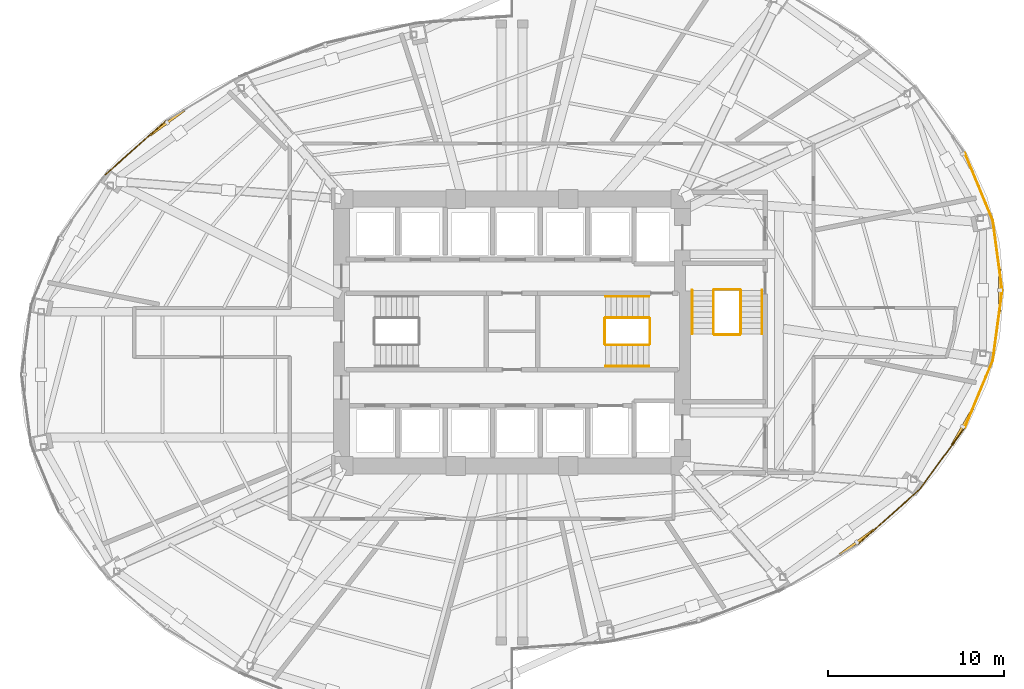
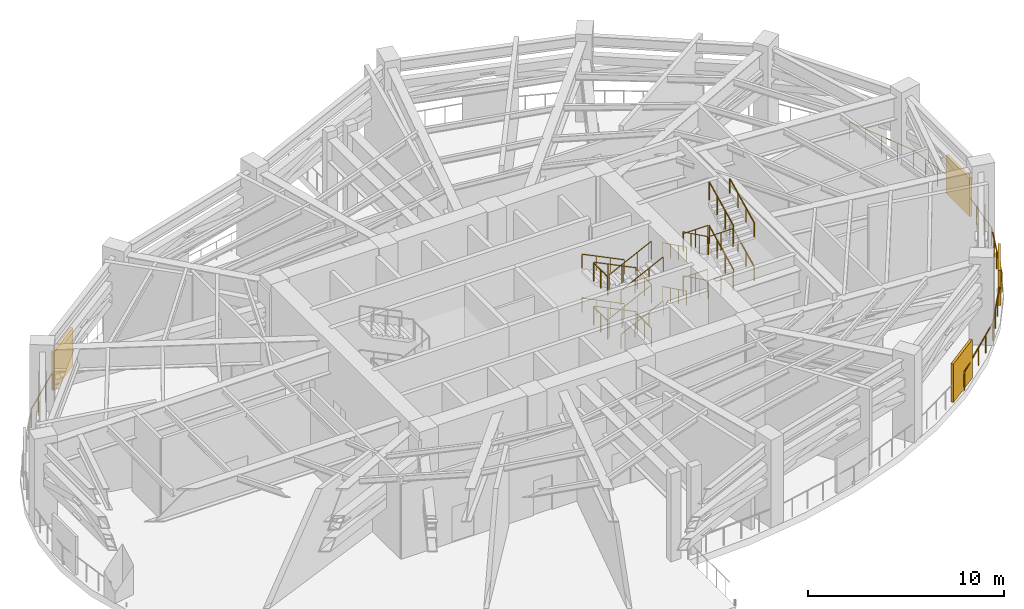
# One storey, part 13 of 14: 31 railings, 4 shading devices.
"""IFC4 building model written with IfcOpenShell, lengths in metres."""

from ifc_helpers import new_model, si_unit, direction, frame, origin, origin_2d, place, context, subcontext, project, spatial, rectangle, circle, extrude, material, type_object, element, save


model = new_model("IFC4")

# Units and contexts
model_context = context("Model", 3, precision=1e-05, world=origin(), true_north=direction((0.0, 1.0)))
body_context = subcontext(model_context, "Body", "Model", "MODEL_VIEW")
ifc_project = project(units=[si_unit("LENGTHUNIT", "METRE"), si_unit("AREAUNIT", "SQUARE_METRE"), si_unit("VOLUMEUNIT", "CUBIC_METRE"), si_unit("PLANEANGLEUNIT", "RADIAN"), si_unit("MASSUNIT", "GRAM", prefix="KILO")], contexts=[model_context])

# Site, building, storey
site_placement = place(None, origin())
site = spatial("IfcSite", under=ifc_project, at=site_placement, CompositionType="ELEMENT")
building_placement = place(site_placement, origin())
building = spatial("IfcBuilding", under=site, at=building_placement, Name="Lazwardi Medical Tower", CompositionType="ELEMENT")
storey_placement = place(building_placement, frame((0.0, 0.0, 76.27197265625)))
storey = spatial("IfcBuildingStorey", under=building, at=storey_placement, Name="L19", CompositionType="ELEMENT", Elevation=76.27197265625)

# Railings
ifc_material_1 = material(Name="Anodised bronze aluminium", Category="aluminium")
railing_type_1 = type_object("IfcRailingType", Name="RLG-BAL-1100", PredefinedType="BALUSTRADE", material=ifc_material_1)
railing_1_placement = place(storey_placement, frame((55.728271484375, 15.97509765625, 0.0)))
element("IfcRailing", 1, at=railing_1_placement, inside=storey, type_object=railing_type_1, Name="L19 Refuge Band Perimeter Balustrade 05", PredefinedType="BALUSTRADE", context=body_context, shape_type="SweptSolid", body=[
    extrude(circle(Radius=0.02392578125, at=origin_2d()), frame((0.0, 0.0, 1.1259765625), z_axis=(0.74664940554, 0.665217757736, 0.0), x_axis=(-0.665217757736, 0.74664940554, 0.0)), (0.0, 0.0, 1.0), 4.64697265625),
    extrude(circle(Radius=0.02099609375, at=origin_2d()), origin(), (0.0, 0.0, 1.0), 1.099853515625),
    extrude(circle(Radius=0.02099609375, at=origin_2d()), frame((0.867431640625, 0.77294921875, 0.0)), (0.0, 0.0, 1.0), 1.099853515625),
    extrude(circle(Radius=0.02099609375, at=origin_2d()), frame((1.73486328125, 1.545654296875, 0.0)), (0.0, 0.0, 1.0), 1.099853515625),
    extrude(circle(Radius=0.02099609375, at=origin_2d()), frame((2.602294921875, 2.318359375, 0.0)), (0.0, 0.0, 1.0), 1.099853515625),
    extrude(circle(Radius=0.02099609375, at=origin_2d()), frame((3.4697265625, 3.09130859375, 0.0)), (0.0, 0.0, 1.0), 1.099853515625),
])
railing_2_placement = place(storey_placement, frame((59.197998046875, 19.06640625, 0.0)))
element("IfcRailing", 2, at=railing_2_placement, inside=storey, type_object=railing_type_1, Name="L19 Refuge Band Perimeter Balustrade 06", PredefinedType="BALUSTRADE", context=body_context, shape_type="SweptSolid", body=[
    extrude(circle(Radius=0.02392578125, at=origin_2d()), frame((0.0, 0.0, 1.1259765625), z_axis=(0.590137081379, 0.807303056591, 0.0), x_axis=(-0.807303056591, 0.590137081379, 0.0)), (0.0, 0.0, 1.0), 4.36865234375),
    extrude(circle(Radius=0.02099609375, at=origin_2d()), origin(), (0.0, 0.0, 1.0), 1.099853515625),
    extrude(circle(Radius=0.02099609375, at=origin_2d()), frame((0.64453125, 0.8818359375, 0.0)), (0.0, 0.0, 1.0), 1.099853515625),
    extrude(circle(Radius=0.02099609375, at=origin_2d()), frame((1.2890625, 1.763427734375, 0.0)), (0.0, 0.0, 1.0), 1.099853515625),
    extrude(circle(Radius=0.02099609375, at=origin_2d()), frame((1.93359375, 2.64501953125, 0.0)), (0.0, 0.0, 1.0), 1.099853515625),
    extrude(circle(Radius=0.02099609375, at=origin_2d()), frame((2.578125, 3.52685546875, 0.0)), (0.0, 0.0, 1.0), 1.099853515625),
])
railing_3_placement = place(storey_placement, frame((61.776123046875, 22.59326171875, 0.0)))
element("IfcRailing", 3, at=railing_3_placement, inside=storey, type_object=railing_type_1, Name="L19 Refuge Band Perimeter Balustrade 07", PredefinedType="BALUSTRADE", context=body_context, shape_type="SweptSolid", body=[
    extrude(circle(Radius=0.02392578125, at=origin_2d()), frame((0.0, 0.0, 1.1259765625), z_axis=(0.383246791429, 0.923645980265, 0.0), x_axis=(-0.923645980265, 0.383246791429, 0.0)), (0.0, 0.0, 1.0), 4.143310546875),
    extrude(circle(Radius=0.02099609375, at=origin_2d()), origin(), (0.0, 0.0, 1.0), 1.099853515625),
    extrude(circle(Radius=0.02099609375, at=origin_2d()), frame((0.39697265625, 0.956787109375, 0.0)), (0.0, 0.0, 1.0), 1.099853515625),
    extrude(circle(Radius=0.02099609375, at=origin_2d()), frame((0.7939453125, 1.91357421875, 0.0)), (0.0, 0.0, 1.0), 1.099853515625),
    extrude(circle(Radius=0.02099609375, at=origin_2d()), frame((1.19091796875, 2.8701171875, 0.0)), (0.0, 0.0, 1.0), 1.099853515625),
    extrude(circle(Radius=0.02099609375, at=origin_2d()), frame((1.587890625, 3.826904296875, 0.0)), (0.0, 0.0, 1.0), 1.099853515625),
])
railing_4_placement = place(storey_placement, frame((63.364013671875, 26.420166015625, 0.0)))
element("IfcRailing", 4, at=railing_4_placement, inside=storey, type_object=railing_type_1, Name="L19 Refuge Band Perimeter Balustrade 08", PredefinedType="BALUSTRADE", context=body_context, shape_type="SweptSolid", body=[
    extrude(circle(Radius=0.02392578125, at=origin_2d()), frame((0.0, 0.0, 1.1259765625), z_axis=(0.133449908171, 0.991055559497, 0.0), x_axis=(-0.991055559497, 0.133449908171, 0.0)), (0.0, 0.0, 1.0), 4.015625),
    extrude(circle(Radius=0.02099609375, at=origin_2d()), origin(), (0.0, 0.0, 1.0), 1.099853515625),
    extrude(circle(Radius=0.02099609375, at=origin_2d()), frame((0.134033203125, 0.994873046875, 0.0)), (0.0, 0.0, 1.0), 1.099853515625),
    extrude(circle(Radius=0.02099609375, at=origin_2d()), frame((0.26806640625, 1.98974609375, 0.0)), (0.0, 0.0, 1.0), 1.099853515625),
    extrude(circle(Radius=0.02099609375, at=origin_2d()), frame((0.40185546875, 2.98486328125, 0.0)), (0.0, 0.0, 1.0), 1.099853515625),
    extrude(circle(Radius=0.02099609375, at=origin_2d()), frame((0.535888671875, 3.979736328125, 0.0)), (0.0, 0.0, 1.0), 1.099853515625),
])
railing_5_placement = place(storey_placement, frame((63.89990234375, 30.39990234375, 0.0)))
element("IfcRailing", 5, at=railing_5_placement, inside=storey, type_object=railing_type_1, Name="L19 Refuge Band Perimeter Balustrade 09", PredefinedType="BALUSTRADE", context=body_context, shape_type="SweptSolid", body=[
    extrude(circle(Radius=0.02392578125, at=origin_2d()), frame((0.0, 0.0, 1.1259765625), z_axis=(-0.133441867837, 0.991056642129, 0.0), x_axis=(-0.991056642129, -0.133441867837, 0.0)), (0.0, 0.0, 1.0), 4.015869140625),
    extrude(circle(Radius=0.02099609375, at=origin_2d()), origin(), (0.0, 0.0, 1.0), 1.099853515625),
    extrude(circle(Radius=0.02099609375, at=origin_2d()), frame((-0.134033203125, 0.9951171875, 0.0)), (0.0, 0.0, 1.0), 1.099853515625),
    extrude(circle(Radius=0.02099609375, at=origin_2d()), frame((-0.26806640625, 1.989990234375, 0.0)), (0.0, 0.0, 1.0), 1.099853515625),
    extrude(circle(Radius=0.02099609375, at=origin_2d()), frame((-0.40185546875, 2.98486328125, 0.0)), (0.0, 0.0, 1.0), 1.099853515625),
    extrude(circle(Radius=0.02099609375, at=origin_2d()), frame((-0.535888671875, 3.97998046875, 0.0)), (0.0, 0.0, 1.0), 1.099853515625),
])
railing_6_placement = place(storey_placement, frame((63.364013671875, 34.3798828125, 0.0)))
element("IfcRailing", 6, at=railing_6_placement, inside=storey, type_object=railing_type_1, Name="L19 Refuge Band Perimeter Balustrade 10", PredefinedType="BALUSTRADE", context=body_context, shape_type="SweptSolid", body=[
    extrude(circle(Radius=0.02392578125, at=origin_2d()), frame((0.0, 0.0, 1.1259765625), z_axis=(-0.383246791429, 0.923645980265, 0.0), x_axis=(-0.923645980265, -0.383246791429, 0.0)), (0.0, 0.0, 1.0), 4.143310546875),
    extrude(circle(Radius=0.02099609375, at=origin_2d()), origin(), (0.0, 0.0, 1.0), 1.099853515625),
    extrude(circle(Radius=0.02099609375, at=origin_2d()), frame((-0.39697265625, 0.956787109375, 0.0)), (0.0, 0.0, 1.0), 1.099853515625),
    extrude(circle(Radius=0.02099609375, at=origin_2d()), frame((-0.7939453125, 1.91357421875, 0.0)), (0.0, 0.0, 1.0), 1.099853515625),
    extrude(circle(Radius=0.02099609375, at=origin_2d()), frame((-1.19091796875, 2.8701171875, 0.0)), (0.0, 0.0, 1.0), 1.099853515625),
    extrude(circle(Radius=0.02099609375, at=origin_2d()), frame((-1.587890625, 3.826904296875, 0.0)), (0.0, 0.0, 1.0), 1.099853515625),
])
railing_7_placement = place(storey_placement, frame((16.271728515625, 40.02490234375, 0.0)))
element("IfcRailing", 7, at=railing_7_placement, inside=storey, type_object=railing_type_1, Name="L19 Refuge Band Perimeter Balustrade 22", PredefinedType="BALUSTRADE", context=body_context, shape_type="SweptSolid", body=[
    extrude(circle(Radius=0.02392578125, at=origin_2d()), frame((0.0, 0.0, 1.1259765625), z_axis=(-0.74664940554, -0.665217757736, 0.0), x_axis=(0.665217757736, -0.74664940554, 0.0)), (0.0, 0.0, 1.0), 4.64697265625),
    extrude(circle(Radius=0.02099609375, at=origin_2d()), origin(), (0.0, 0.0, 1.0), 1.099853515625),
    extrude(circle(Radius=0.02099609375, at=origin_2d()), frame((-0.867431640625, -0.77294921875, 0.0)), (0.0, 0.0, 1.0), 1.099853515625),
    extrude(circle(Radius=0.02099609375, at=origin_2d()), frame((-1.73486328125, -1.545654296875, 0.0)), (0.0, 0.0, 1.0), 1.099853515625),
    extrude(circle(Radius=0.02099609375, at=origin_2d()), frame((-2.602294921875, -2.318359375, 0.0)), (0.0, 0.0, 1.0), 1.099853515625),
    extrude(circle(Radius=0.02099609375, at=origin_2d()), frame((-3.4697265625, -3.09130859375, 0.0)), (0.0, 0.0, 1.0), 1.099853515625),
])
ifc_material_2 = material(Name="Stainless steel Grade 316", Category="steel")
railing_type_2 = type_object("IfcRailingType", Name="RLG-GRD-1150", PredefinedType="GUARDRAIL", material=ifc_material_2)
railing_8_placement = place(storey_placement, frame((43.800048828125, 28.830078125, 0.152099609375)))
element("IfcRailing", 8, at=railing_8_placement, inside=storey, type_object=railing_type_2, Name="L19 ST2 stair guard 1", PredefinedType="GUARDRAIL", context=body_context, shape_type="SweptSolid", body=[
    extrude(circle(Radius=0.02392578125, at=origin_2d()), frame((0.0, 0.0, 1.1259765625), z_axis=(-0.897900171516, 0.0, 0.440199139018), x_axis=(0.0, -1.0, 0.0)), (0.0, 0.0, 1.0), 2.761962890625),
    extrude(circle(Radius=0.02099609375, at=origin_2d()), origin(), (0.0, 0.0, 1.0), 1.099853515625),
    extrude(circle(Radius=0.02099609375, at=origin_2d()), frame((-0.82666015625, 0.0, 0.4052734375)), (0.0, 0.0, 1.0), 1.099853515625),
    extrude(circle(Radius=0.02099609375, at=origin_2d()), frame((-1.6533203125, 0.0, 0.810546875)), (0.0, 0.0, 1.0), 1.099853515625),
    extrude(circle(Radius=0.02099609375, at=origin_2d()), frame((-2.47998046875, 0.0, 1.2158203125)), (0.0, 0.0, 1.0), 1.099853515625),
])
railing_9_placement = place(storey_placement, frame((41.27001953125, 28.780029296875, 1.367919921875)))
element("IfcRailing", 9, at=railing_9_placement, inside=storey, type_object=railing_type_2, Name="L19 ST2 stair guard 2", PredefinedType="GUARDRAIL", context=body_context, shape_type="SweptSolid", body=[
    extrude(circle(Radius=0.02392578125, at=origin_2d()), frame((0.0, 0.0, 1.1259765625), z_axis=(0.0, -1.0, 0.0), x_axis=(1.0, 0.0, 0.0)), (0.0, 0.0, 1.0), 1.43994140625),
    extrude(circle(Radius=0.02099609375, at=origin_2d()), origin(), (0.0, 0.0, 1.0), 1.099853515625),
    extrude(circle(Radius=0.02099609375, at=origin_2d()), frame((0.0, -0.719970703125, 0.0)), (0.0, 0.0, 1.0), 1.099853515625),
    extrude(circle(Radius=0.02099609375, at=origin_2d()), frame((0.0, -1.43994140625, 0.0)), (0.0, 0.0, 1.0), 1.099853515625),
])
railing_10_placement = place(storey_placement, frame((41.320068359375, 27.2900390625, 1.52001953125)))
element("IfcRailing", 10, at=railing_10_placement, inside=storey, type_object=railing_type_2, Name="L19 ST2 stair guard 3", PredefinedType="GUARDRAIL", context=body_context, shape_type="SweptSolid", body=[
    extrude(circle(Radius=0.02392578125, at=origin_2d()), frame((0.0, 0.0, 1.1259765625), z_axis=(0.897865232124, 0.0, 0.440270399804), x_axis=(0.0, 1.0, 0.0)), (0.0, 0.0, 1.0), 2.76220703125),
    extrude(circle(Radius=0.02099609375, at=origin_2d()), origin(), (0.0, 0.0, 1.0), 1.099853515625),
    extrude(circle(Radius=0.02099609375, at=origin_2d()), frame((0.82666015625, 0.0, 0.4052734375)), (0.0, 0.0, 1.0), 1.099853515625),
    extrude(circle(Radius=0.02099609375, at=origin_2d()), frame((1.6533203125, 0.0, 0.810791015625)), (0.0, 0.0, 1.0), 1.099853515625),
    extrude(circle(Radius=0.02099609375, at=origin_2d()), frame((2.47998046875, 0.0, 1.216064453125)), (0.0, 0.0, 1.0), 1.099853515625),
])
railing_11_placement = place(storey_placement, frame((43.85009765625, 28.780029296875, 2.736083984375)))
element("IfcRailing", 11, at=railing_11_placement, inside=storey, type_object=railing_type_2, Name="L19 ST2 stair guard 4", PredefinedType="GUARDRAIL", context=body_context, shape_type="SweptSolid", body=[
    extrude(circle(Radius=0.02392578125, at=origin_2d()), frame((0.0, 0.0, 1.1259765625), z_axis=(0.0, -1.0, 0.0), x_axis=(1.0, 0.0, 0.0)), (0.0, 0.0, 1.0), 1.43994140625),
    extrude(circle(Radius=0.02099609375, at=origin_2d()), origin(), (0.0, 0.0, 1.0), 1.099853515625),
    extrude(circle(Radius=0.02099609375, at=origin_2d()), frame((0.0, -0.719970703125, 0.0)), (0.0, 0.0, 1.0), 1.099853515625),
    extrude(circle(Radius=0.02099609375, at=origin_2d()), frame((0.0, -1.43994140625, 0.0)), (0.0, 0.0, 1.0), 1.099853515625),
])
railing_12_placement = place(storey_placement, frame((43.800048828125, 28.830078125, 2.887939453125)))
element("IfcRailing", 12, at=railing_12_placement, inside=storey, type_object=railing_type_2, Name="L19 ST2 stair guard 5", PredefinedType="GUARDRAIL", context=body_context, shape_type="SweptSolid", body=[
    extrude(circle(Radius=0.02392578125, at=origin_2d()), frame((0.0, 0.0, 1.1259765625), z_axis=(-0.897865232124, 0.0, 0.440270399804), x_axis=(0.0, -1.0, 0.0)), (0.0, 0.0, 1.0), 2.76220703125),
    extrude(circle(Radius=0.02099609375, at=origin_2d()), origin(), (0.0, 0.0, 1.0), 1.099853515625),
    extrude(circle(Radius=0.02099609375, at=origin_2d()), frame((-0.82666015625, 0.0, 0.4052734375)), (0.0, 0.0, 1.0), 1.099853515625),
    extrude(circle(Radius=0.02099609375, at=origin_2d()), frame((-1.6533203125, 0.0, 0.810791015625)), (0.0, 0.0, 1.0), 1.099853515625),
    extrude(circle(Radius=0.02099609375, at=origin_2d()), frame((-2.47998046875, 0.0, 1.216064453125)), (0.0, 0.0, 1.0), 1.099853515625),
])
railing_13_placement = place(storey_placement, frame((41.27001953125, 28.780029296875, 4.10400390625)))
element("IfcRailing", 13, at=railing_13_placement, inside=storey, type_object=railing_type_2, Name="L19 ST2 stair guard 6", PredefinedType="GUARDRAIL", context=body_context, shape_type="SweptSolid", body=[
    extrude(circle(Radius=0.02392578125, at=origin_2d()), frame((0.0, 0.0, 1.1259765625), z_axis=(0.0, -1.0, 0.0), x_axis=(1.0, 0.0, 0.0)), (0.0, 0.0, 1.0), 1.43994140625),
    extrude(circle(Radius=0.02099609375, at=origin_2d()), origin(), (0.0, 0.0, 1.0), 1.099853515625),
    extrude(circle(Radius=0.02099609375, at=origin_2d()), frame((0.0, -0.719970703125, 0.0)), (0.0, 0.0, 1.0), 1.099853515625),
    extrude(circle(Radius=0.02099609375, at=origin_2d()), frame((0.0, -1.43994140625, 0.0)), (0.0, 0.0, 1.0), 1.099853515625),
])
railing_14_placement = place(storey_placement, frame((41.320068359375, 27.2900390625, 4.256103515625)))
element("IfcRailing", 14, at=railing_14_placement, inside=storey, type_object=railing_type_2, Name="L19 ST2 stair guard 7", PredefinedType="GUARDRAIL", context=body_context, shape_type="SweptSolid", body=[
    extrude(circle(Radius=0.02392578125, at=origin_2d()), frame((0.0, 0.0, 1.1259765625), z_axis=(0.897900171516, 0.0, 0.440199139018), x_axis=(0.0, 1.0, 0.0)), (0.0, 0.0, 1.0), 2.761962890625),
    extrude(circle(Radius=0.02099609375, at=origin_2d()), origin(), (0.0, 0.0, 1.0), 1.099853515625),
    extrude(circle(Radius=0.02099609375, at=origin_2d()), frame((0.82666015625, 0.0, 0.4052734375)), (0.0, 0.0, 1.0), 1.099853515625),
    extrude(circle(Radius=0.02099609375, at=origin_2d()), frame((1.6533203125, 0.0, 0.810546875)), (0.0, 0.0, 1.0), 1.099853515625),
    extrude(circle(Radius=0.02099609375, at=origin_2d()), frame((2.47998046875, 0.0, 1.2158203125)), (0.0, 0.0, 1.0), 1.099853515625),
])
railing_15_placement = place(storey_placement, frame((43.85009765625, 28.780029296875, 0.0)))
element("IfcRailing", 15, at=railing_15_placement, inside=storey, type_object=railing_type_2, Name="L19 ST2 stair guard 8", PredefinedType="GUARDRAIL", context=body_context, shape_type="SweptSolid", body=[
    extrude(circle(Radius=0.02392578125, at=origin_2d()), frame((0.0, 0.0, 1.1259765625), z_axis=(0.0, -1.0, 0.0), x_axis=(1.0, 0.0, 0.0)), (0.0, 0.0, 1.0), 1.43994140625),
    extrude(circle(Radius=0.02099609375, at=origin_2d()), origin(), (0.0, 0.0, 1.0), 1.099853515625),
    extrude(circle(Radius=0.02099609375, at=origin_2d()), frame((0.0, -0.719970703125, 0.0)), (0.0, 0.0, 1.0), 1.099853515625),
    extrude(circle(Radius=0.02099609375, at=origin_2d()), frame((0.0, -1.43994140625, 0.0)), (0.0, 0.0, 1.0), 1.099853515625),
])
railing_16_placement = place(storey_placement, frame((47.469970703125, 30.39990234375, 0.152099609375)))
element("IfcRailing", 16, at=railing_16_placement, inside=storey, type_object=railing_type_2, Name="L19 ST3 stair guard 1", PredefinedType="GUARDRAIL", context=body_context, shape_type="SweptSolid", body=[
    extrude(circle(Radius=0.02392578125, at=origin_2d()), frame((0.0, 0.0, 1.1259765625), z_axis=(0.0, -0.897900171516, 0.440199139018), x_axis=(1.0, 0.0, 0.0)), (0.0, 0.0, 1.0), 2.761962890625),
    extrude(circle(Radius=0.02099609375, at=origin_2d()), origin(), (0.0, 0.0, 1.0), 1.099853515625),
    extrude(circle(Radius=0.02099609375, at=origin_2d()), frame((0.0, -0.82666015625, 0.4052734375)), (0.0, 0.0, 1.0), 1.099853515625),
    extrude(circle(Radius=0.02099609375, at=origin_2d()), frame((0.0, -1.6533203125, 0.810546875)), (0.0, 0.0, 1.0), 1.099853515625),
    extrude(circle(Radius=0.02099609375, at=origin_2d()), frame((0.0, -2.47998046875, 1.2158203125)), (0.0, 0.0, 1.0), 1.099853515625),
])
railing_17_placement = place(storey_placement, frame((47.52001953125, 27.8701171875, 1.367919921875)))
element("IfcRailing", 17, at=railing_17_placement, inside=storey, type_object=railing_type_2, Name="L19 ST3 stair guard 2", PredefinedType="GUARDRAIL", context=body_context, shape_type="SweptSolid", body=[
    extrude(circle(Radius=0.02392578125, at=origin_2d()), frame((0.0, 0.0, 1.1259765625), z_axis=(1.0, 0.0, 0.0), x_axis=(0.0, 1.0, 0.0)), (0.0, 0.0, 1.0), 1.43994140625),
    extrude(circle(Radius=0.02099609375, at=origin_2d()), origin(), (0.0, 0.0, 1.0), 1.099853515625),
    extrude(circle(Radius=0.02099609375, at=origin_2d()), frame((0.719970703125, 0.0, 0.0)), (0.0, 0.0, 1.0), 1.099853515625),
    extrude(circle(Radius=0.02099609375, at=origin_2d()), frame((1.43994140625, 0.0, 0.0)), (0.0, 0.0, 1.0), 1.099853515625),
])
railing_18_placement = place(storey_placement, frame((49.010009765625, 27.919921875, 1.52001953125)))
element("IfcRailing", 18, at=railing_18_placement, inside=storey, type_object=railing_type_2, Name="L19 ST3 stair guard 3", PredefinedType="GUARDRAIL", context=body_context, shape_type="SweptSolid", body=[
    extrude(circle(Radius=0.02392578125, at=origin_2d()), frame((0.0, 0.0, 1.1259765625), z_axis=(0.0, 0.897865232124, 0.440270399804), x_axis=(-1.0, 0.0, 0.0)), (0.0, 0.0, 1.0), 2.76220703125),
    extrude(circle(Radius=0.02099609375, at=origin_2d()), origin(), (0.0, 0.0, 1.0), 1.099853515625),
    extrude(circle(Radius=0.02099609375, at=origin_2d()), frame((0.0, 0.82666015625, 0.4052734375)), (0.0, 0.0, 1.0), 1.099853515625),
    extrude(circle(Radius=0.02099609375, at=origin_2d()), frame((0.0, 1.6533203125, 0.810791015625)), (0.0, 0.0, 1.0), 1.099853515625),
    extrude(circle(Radius=0.02099609375, at=origin_2d()), frame((0.0, 2.47998046875, 1.216064453125)), (0.0, 0.0, 1.0), 1.099853515625),
])
railing_19_placement = place(storey_placement, frame((47.52001953125, 30.449951171875, 2.736083984375)))
element("IfcRailing", 19, at=railing_19_placement, inside=storey, type_object=railing_type_2, Name="L19 ST3 stair guard 4", PredefinedType="GUARDRAIL", context=body_context, shape_type="SweptSolid", body=[
    extrude(circle(Radius=0.02392578125, at=origin_2d()), frame((0.0, 0.0, 1.1259765625), z_axis=(1.0, 0.0, 0.0), x_axis=(0.0, 1.0, 0.0)), (0.0, 0.0, 1.0), 1.43994140625),
    extrude(circle(Radius=0.02099609375, at=origin_2d()), origin(), (0.0, 0.0, 1.0), 1.099853515625),
    extrude(circle(Radius=0.02099609375, at=origin_2d()), frame((0.719970703125, 0.0, 0.0)), (0.0, 0.0, 1.0), 1.099853515625),
    extrude(circle(Radius=0.02099609375, at=origin_2d()), frame((1.43994140625, 0.0, 0.0)), (0.0, 0.0, 1.0), 1.099853515625),
])
railing_20_placement = place(storey_placement, frame((47.469970703125, 30.39990234375, 2.887939453125)))
element("IfcRailing", 20, at=railing_20_placement, inside=storey, type_object=railing_type_2, Name="L19 ST3 stair guard 5", PredefinedType="GUARDRAIL", context=body_context, shape_type="SweptSolid", body=[
    extrude(circle(Radius=0.02392578125, at=origin_2d()), frame((0.0, 0.0, 1.1259765625), z_axis=(0.0, -0.897865232124, 0.440270399804), x_axis=(1.0, 0.0, 0.0)), (0.0, 0.0, 1.0), 2.76220703125),
    extrude(circle(Radius=0.02099609375, at=origin_2d()), origin(), (0.0, 0.0, 1.0), 1.099853515625),
    extrude(circle(Radius=0.02099609375, at=origin_2d()), frame((0.0, -0.82666015625, 0.4052734375)), (0.0, 0.0, 1.0), 1.099853515625),
    extrude(circle(Radius=0.02099609375, at=origin_2d()), frame((0.0, -1.6533203125, 0.810791015625)), (0.0, 0.0, 1.0), 1.099853515625),
    extrude(circle(Radius=0.02099609375, at=origin_2d()), frame((0.0, -2.47998046875, 1.216064453125)), (0.0, 0.0, 1.0), 1.099853515625),
])
railing_21_placement = place(storey_placement, frame((47.52001953125, 27.8701171875, 4.10400390625)))
element("IfcRailing", 21, at=railing_21_placement, inside=storey, type_object=railing_type_2, Name="L19 ST3 stair guard 6", PredefinedType="GUARDRAIL", context=body_context, shape_type="SweptSolid", body=[
    extrude(circle(Radius=0.02392578125, at=origin_2d()), frame((0.0, 0.0, 1.1259765625), z_axis=(1.0, 0.0, 0.0), x_axis=(0.0, 1.0, 0.0)), (0.0, 0.0, 1.0), 1.43994140625),
    extrude(circle(Radius=0.02099609375, at=origin_2d()), origin(), (0.0, 0.0, 1.0), 1.099853515625),
    extrude(circle(Radius=0.02099609375, at=origin_2d()), frame((0.719970703125, 0.0, 0.0)), (0.0, 0.0, 1.0), 1.099853515625),
    extrude(circle(Radius=0.02099609375, at=origin_2d()), frame((1.43994140625, 0.0, 0.0)), (0.0, 0.0, 1.0), 1.099853515625),
])
railing_22_placement = place(storey_placement, frame((49.010009765625, 27.919921875, 4.256103515625)))
element("IfcRailing", 22, at=railing_22_placement, inside=storey, type_object=railing_type_2, Name="L19 ST3 stair guard 7", PredefinedType="GUARDRAIL", context=body_context, shape_type="SweptSolid", body=[
    extrude(circle(Radius=0.02392578125, at=origin_2d()), frame((0.0, 0.0, 1.1259765625), z_axis=(0.0, 0.897900171516, 0.440199139018), x_axis=(-1.0, 0.0, 0.0)), (0.0, 0.0, 1.0), 2.761962890625),
    extrude(circle(Radius=0.02099609375, at=origin_2d()), origin(), (0.0, 0.0, 1.0), 1.099853515625),
    extrude(circle(Radius=0.02099609375, at=origin_2d()), frame((0.0, 0.82666015625, 0.4052734375)), (0.0, 0.0, 1.0), 1.099853515625),
    extrude(circle(Radius=0.02099609375, at=origin_2d()), frame((0.0, 1.6533203125, 0.810546875)), (0.0, 0.0, 1.0), 1.099853515625),
    extrude(circle(Radius=0.02099609375, at=origin_2d()), frame((0.0, 2.47998046875, 1.2158203125)), (0.0, 0.0, 1.0), 1.099853515625),
])
railing_23_placement = place(storey_placement, frame((47.52001953125, 30.449951171875, 0.0)))
element("IfcRailing", 23, at=railing_23_placement, inside=storey, type_object=railing_type_2, Name="L19 ST3 stair guard 8", PredefinedType="GUARDRAIL", context=body_context, shape_type="SweptSolid", body=[
    extrude(circle(Radius=0.02392578125, at=origin_2d()), frame((0.0, 0.0, 1.1259765625), z_axis=(1.0, 0.0, 0.0), x_axis=(0.0, 1.0, 0.0)), (0.0, 0.0, 1.0), 1.43994140625),
    extrude(circle(Radius=0.02099609375, at=origin_2d()), origin(), (0.0, 0.0, 1.0), 1.099853515625),
    extrude(circle(Radius=0.02099609375, at=origin_2d()), frame((0.719970703125, 0.0, 0.0)), (0.0, 0.0, 1.0), 1.099853515625),
    extrude(circle(Radius=0.02099609375, at=origin_2d()), frame((1.43994140625, 0.0, 0.0)), (0.0, 0.0, 1.0), 1.099853515625),
])
railing_type_3 = type_object("IfcRailingType", Name="RLG-HND-920", PredefinedType="HANDRAIL", material=ifc_material_2)
railing_24_placement = place(storey_placement, frame((43.800048828125, 30.050048828125, 0.152099609375)))
element("IfcRailing", 24, at=railing_24_placement, inside=storey, type_object=railing_type_3, Name="L19 ST2 stair handrail 1", PredefinedType="HANDRAIL", context=body_context, shape_type="SweptSolid", body=[
    extrude(circle(Radius=0.02392578125, at=origin_2d()), frame((0.0, 0.0, 0.8857421875), z_axis=(-0.897900171516, 0.0, 0.440199139018), x_axis=(0.0, -1.0, 0.0)), (0.0, 0.0, 1.0), 2.761962890625),
    extrude(circle(Radius=0.02099609375, at=origin_2d()), origin(), (0.0, 0.0, 1.0), 0.85986328125),
    extrude(circle(Radius=0.02099609375, at=origin_2d()), frame((-0.82666015625, 0.0, 0.4052734375)), (0.0, 0.0, 1.0), 0.85986328125),
    extrude(circle(Radius=0.02099609375, at=origin_2d()), frame((-1.6533203125, 0.0, 0.810546875)), (0.0, 0.0, 1.0), 0.85986328125),
    extrude(circle(Radius=0.02099609375, at=origin_2d()), frame((-2.47998046875, 0.0, 1.2158203125)), (0.0, 0.0, 1.0), 0.85986328125),
])
railing_25_placement = place(storey_placement, frame((41.320068359375, 26.070068359375, 1.52001953125)))
element("IfcRailing", 25, at=railing_25_placement, inside=storey, type_object=railing_type_3, Name="L19 ST2 stair handrail 2", PredefinedType="HANDRAIL", context=body_context, shape_type="SweptSolid", body=[
    extrude(circle(Radius=0.02392578125, at=origin_2d()), frame((0.0, 0.0, 0.8857421875), z_axis=(0.897865232124, 0.0, 0.440270399804), x_axis=(0.0, 1.0, 0.0)), (0.0, 0.0, 1.0), 2.76220703125),
    extrude(circle(Radius=0.02099609375, at=origin_2d()), origin(), (0.0, 0.0, 1.0), 0.85986328125),
    extrude(circle(Radius=0.02099609375, at=origin_2d()), frame((0.82666015625, 0.0, 0.4052734375)), (0.0, 0.0, 1.0), 0.85986328125),
    extrude(circle(Radius=0.02099609375, at=origin_2d()), frame((1.6533203125, 0.0, 0.810791015625)), (0.0, 0.0, 1.0), 0.85986328125),
    extrude(circle(Radius=0.02099609375, at=origin_2d()), frame((2.47998046875, 0.0, 1.216064453125)), (0.0, 0.0, 1.0), 0.85986328125),
])
railing_26_placement = place(storey_placement, frame((43.800048828125, 30.050048828125, 2.887939453125)))
element("IfcRailing", 26, at=railing_26_placement, inside=storey, type_object=railing_type_3, Name="L19 ST2 stair handrail 3", PredefinedType="HANDRAIL", context=body_context, shape_type="SweptSolid", body=[
    extrude(circle(Radius=0.02392578125, at=origin_2d()), frame((0.0, 0.0, 0.8857421875), z_axis=(-0.897865232124, 0.0, 0.440270399804), x_axis=(0.0, -1.0, 0.0)), (0.0, 0.0, 1.0), 2.76220703125),
    extrude(circle(Radius=0.02099609375, at=origin_2d()), origin(), (0.0, 0.0, 1.0), 0.85986328125),
    extrude(circle(Radius=0.02099609375, at=origin_2d()), frame((-0.82666015625, 0.0, 0.4052734375)), (0.0, 0.0, 1.0), 0.85986328125),
    extrude(circle(Radius=0.02099609375, at=origin_2d()), frame((-1.6533203125, 0.0, 0.810791015625)), (0.0, 0.0, 1.0), 0.85986328125),
    extrude(circle(Radius=0.02099609375, at=origin_2d()), frame((-2.47998046875, 0.0, 1.216064453125)), (0.0, 0.0, 1.0), 0.85986328125),
])
railing_27_placement = place(storey_placement, frame((41.320068359375, 26.070068359375, 4.256103515625)))
element("IfcRailing", 27, at=railing_27_placement, inside=storey, type_object=railing_type_3, Name="L19 ST2 stair handrail 4", PredefinedType="HANDRAIL", context=body_context, shape_type="SweptSolid", body=[
    extrude(circle(Radius=0.02392578125, at=origin_2d()), frame((0.0, 0.0, 0.8857421875), z_axis=(0.897900171516, 0.0, 0.440199139018), x_axis=(0.0, 1.0, 0.0)), (0.0, 0.0, 1.0), 2.761962890625),
    extrude(circle(Radius=0.02099609375, at=origin_2d()), origin(), (0.0, 0.0, 1.0), 0.85986328125),
    extrude(circle(Radius=0.02099609375, at=origin_2d()), frame((0.82666015625, 0.0, 0.4052734375)), (0.0, 0.0, 1.0), 0.85986328125),
    extrude(circle(Radius=0.02099609375, at=origin_2d()), frame((1.6533203125, 0.0, 0.810546875)), (0.0, 0.0, 1.0), 0.85986328125),
    extrude(circle(Radius=0.02099609375, at=origin_2d()), frame((2.47998046875, 0.0, 1.2158203125)), (0.0, 0.0, 1.0), 0.85986328125),
])
railing_28_placement = place(storey_placement, frame((46.25, 30.39990234375, 0.152099609375)))
element("IfcRailing", 28, at=railing_28_placement, inside=storey, type_object=railing_type_3, Name="L19 ST3 stair handrail 1", PredefinedType="HANDRAIL", context=body_context, shape_type="SweptSolid", body=[
    extrude(circle(Radius=0.02392578125, at=origin_2d()), frame((0.0, 0.0, 0.8857421875), z_axis=(0.0, -0.897900171516, 0.440199139018), x_axis=(1.0, 0.0, 0.0)), (0.0, 0.0, 1.0), 2.761962890625),
    extrude(circle(Radius=0.02099609375, at=origin_2d()), origin(), (0.0, 0.0, 1.0), 0.85986328125),
    extrude(circle(Radius=0.02099609375, at=origin_2d()), frame((0.0, -0.82666015625, 0.4052734375)), (0.0, 0.0, 1.0), 0.85986328125),
    extrude(circle(Radius=0.02099609375, at=origin_2d()), frame((0.0, -1.6533203125, 0.810546875)), (0.0, 0.0, 1.0), 0.85986328125),
    extrude(circle(Radius=0.02099609375, at=origin_2d()), frame((0.0, -2.47998046875, 1.2158203125)), (0.0, 0.0, 1.0), 0.85986328125),
])
railing_29_placement = place(storey_placement, frame((50.22998046875, 27.919921875, 1.52001953125)))
element("IfcRailing", 29, at=railing_29_placement, inside=storey, type_object=railing_type_3, Name="L19 ST3 stair handrail 2", PredefinedType="HANDRAIL", context=body_context, shape_type="SweptSolid", body=[
    extrude(circle(Radius=0.02392578125, at=origin_2d()), frame((0.0, 0.0, 0.8857421875), z_axis=(0.0, 0.897865232124, 0.440270399804), x_axis=(-1.0, 0.0, 0.0)), (0.0, 0.0, 1.0), 2.76220703125),
    extrude(circle(Radius=0.02099609375, at=origin_2d()), origin(), (0.0, 0.0, 1.0), 0.85986328125),
    extrude(circle(Radius=0.02099609375, at=origin_2d()), frame((0.0, 0.82666015625, 0.4052734375)), (0.0, 0.0, 1.0), 0.85986328125),
    extrude(circle(Radius=0.02099609375, at=origin_2d()), frame((0.0, 1.6533203125, 0.810791015625)), (0.0, 0.0, 1.0), 0.85986328125),
    extrude(circle(Radius=0.02099609375, at=origin_2d()), frame((0.0, 2.47998046875, 1.216064453125)), (0.0, 0.0, 1.0), 0.85986328125),
])
railing_30_placement = place(storey_placement, frame((46.25, 30.39990234375, 2.887939453125)))
element("IfcRailing", 30, at=railing_30_placement, inside=storey, type_object=railing_type_3, Name="L19 ST3 stair handrail 3", PredefinedType="HANDRAIL", context=body_context, shape_type="SweptSolid", body=[
    extrude(circle(Radius=0.02392578125, at=origin_2d()), frame((0.0, 0.0, 0.8857421875), z_axis=(0.0, -0.897865232124, 0.440270399804), x_axis=(1.0, 0.0, 0.0)), (0.0, 0.0, 1.0), 2.76220703125),
    extrude(circle(Radius=0.02099609375, at=origin_2d()), origin(), (0.0, 0.0, 1.0), 0.85986328125),
    extrude(circle(Radius=0.02099609375, at=origin_2d()), frame((0.0, -0.82666015625, 0.4052734375)), (0.0, 0.0, 1.0), 0.85986328125),
    extrude(circle(Radius=0.02099609375, at=origin_2d()), frame((0.0, -1.6533203125, 0.810791015625)), (0.0, 0.0, 1.0), 0.85986328125),
    extrude(circle(Radius=0.02099609375, at=origin_2d()), frame((0.0, -2.47998046875, 1.216064453125)), (0.0, 0.0, 1.0), 0.85986328125),
])
railing_31_placement = place(storey_placement, frame((50.22998046875, 27.919921875, 4.256103515625)))
element("IfcRailing", 31, at=railing_31_placement, inside=storey, type_object=railing_type_3, Name="L19 ST3 stair handrail 4", PredefinedType="HANDRAIL", context=body_context, shape_type="SweptSolid", body=[
    extrude(circle(Radius=0.02392578125, at=origin_2d()), frame((0.0, 0.0, 0.8857421875), z_axis=(0.0, 0.897900171516, 0.440199139018), x_axis=(-1.0, 0.0, 0.0)), (0.0, 0.0, 1.0), 2.761962890625),
    extrude(circle(Radius=0.02099609375, at=origin_2d()), origin(), (0.0, 0.0, 1.0), 0.85986328125),
    extrude(circle(Radius=0.02099609375, at=origin_2d()), frame((0.0, 0.82666015625, 0.4052734375)), (0.0, 0.0, 1.0), 0.85986328125),
    extrude(circle(Radius=0.02099609375, at=origin_2d()), frame((0.0, 1.6533203125, 0.810546875)), (0.0, 0.0, 1.0), 0.85986328125),
    extrude(circle(Radius=0.02099609375, at=origin_2d()), frame((0.0, 2.47998046875, 1.2158203125)), (0.0, 0.0, 1.0), 0.85986328125),
])

# Shading devices
ifc_material_3 = material(Name="Anodised bronze aluminium storm louvre", Category="aluminium")
shading_device_type_1 = type_object("IfcShadingDeviceType", Name="SHD-LVR-01", PredefinedType="JALOUSIE", material=ifc_material_3)
shading_device_placement = place(storey_placement, frame((61.6416015625, 22.64013671875, 0.0), z_axis=(0.0, 0.0, 1.0), x_axis=(0.493193529244, 0.869919618535, 0.0)))
element("IfcShadingDevice", 32, at=shading_device_placement, inside=storey, type_object=shading_device_type_1, Name="L19 Tropical Storm Louvre 03", PredefinedType="JALOUSIE", context=body_context, shape_type="SweptSolid", body=[
    extrude(rectangle(XDim=2.39990234375, YDim=0.139892578125, at=origin_2d()), origin(), (0.0, 0.0, 1.0), 2.199951171875),
])
ifc_material_4 = material(Name="Perforated bronze girih solar screen", Category="aluminium")
shading_device_type_2 = type_object("IfcShadingDeviceType", Name="SHD-SCR-01", PredefinedType="USERDEFINED", material=ifc_material_4)
for number, where, z_axis, x_axis, name in (
    (33, (55.625, 16.061767578125, 0.0), (0.0, 0.0, 1.0), (0.807455843175, 0.589928013678, 0.0), "L19 Bronze Girih Solar Screen 02"),
    (34, (63.754150390625, 30.39990234375, 0.0), (0.0, 0.0, 1.0), (0.0, 1.0, 0.0), "L19 Bronze Girih Solar Screen 04"),
    (35, (16.374755859375, 39.938232421875, 0.0), (0.0, 0.0, 1.0), (-0.807455843175, -0.589928013678, 0.0), "L19 Bronze Girih Solar Screen 10"),
):
    element("IfcShadingDevice", number, at=place(storey_placement, frame(where, z_axis=z_axis, x_axis=x_axis)), inside=storey, type_object=shading_device_type_2, Name=name, ObjectType="SCREEN", PredefinedType="USERDEFINED", context=body_context, shape_type="SweptSolid", body=[
        extrude(rectangle(XDim=2.39990234375, YDim=0.139892578125, at=origin_2d()), origin(), (0.0, 0.0, 1.0), 2.39990234375),
    ])

save(model, "model.ifc")
